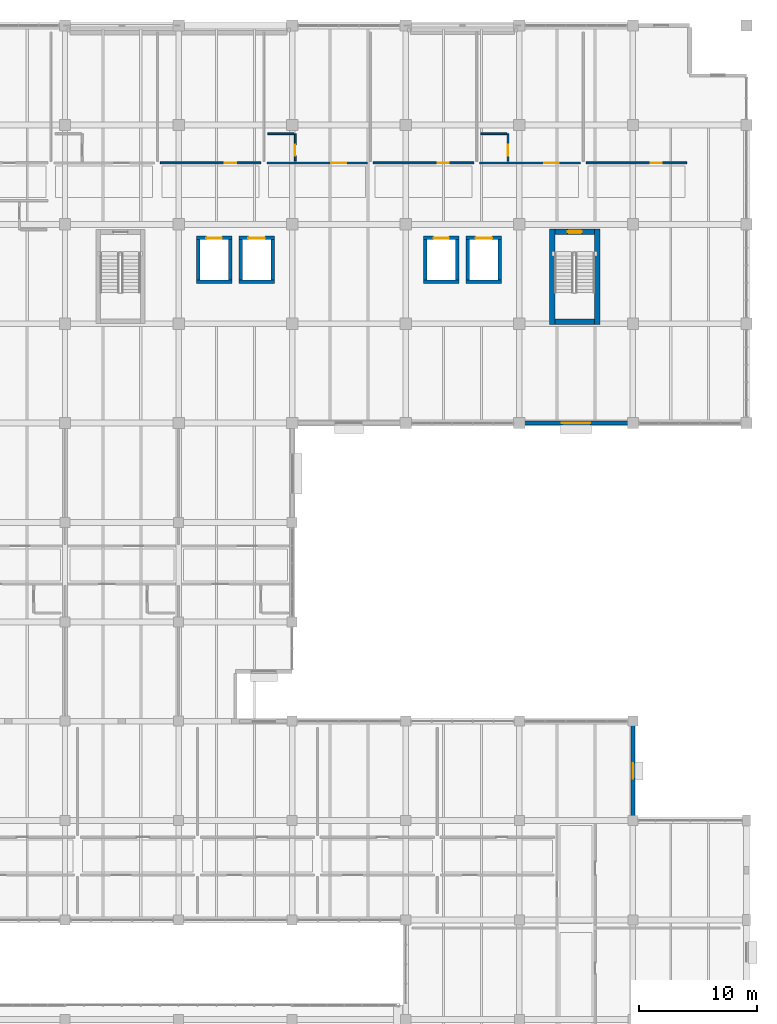
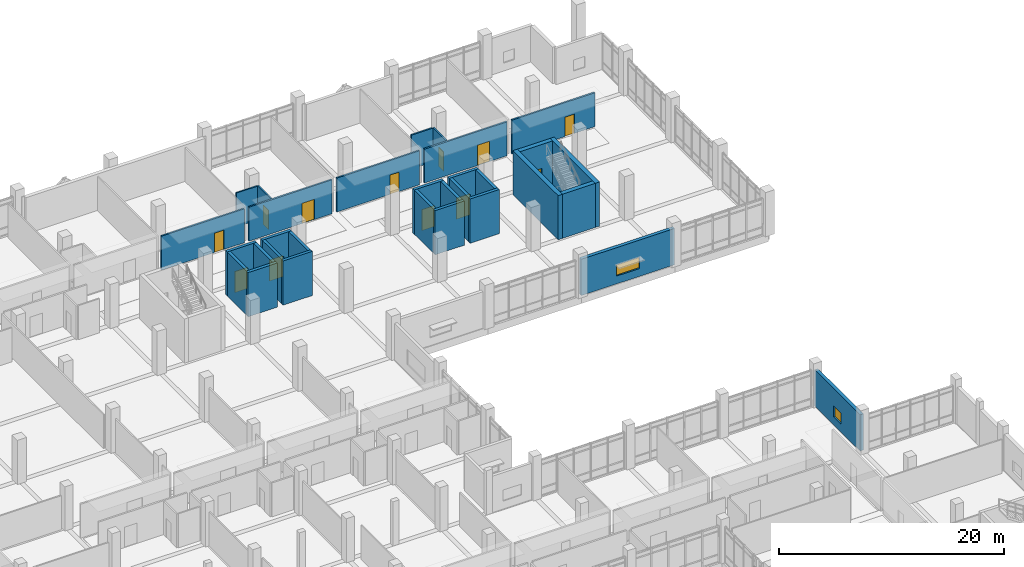
# One storey, part 132 of 152: 31 walls, 12 doors, 2 windows, 14 openings.
"""IFC4 building model written with IfcOpenShell, lengths in metres."""

from ifc_helpers import new_model, si_unit, direction, frame, frame_2d, origin, place, context, subcontext, project, spatial, rectangle, extrude, material, layer, layer_set, type_object, element, fill, save


model = new_model("IFC4")

# Units and contexts
model_context = context("Model", 3, precision=1e-05, world=origin(), true_north=direction((0.0, 1.0)))
body_context = subcontext(model_context, "Body", "Model", "MODEL_VIEW")
ifc_project = project(units=[si_unit("LENGTHUNIT", "METRE"), si_unit("AREAUNIT", "SQUARE_METRE"), si_unit("VOLUMEUNIT", "CUBIC_METRE"), si_unit("PLANEANGLEUNIT", "RADIAN"), si_unit("MASSUNIT", "GRAM", prefix="KILO")], contexts=[model_context])

# Site, building, storey
site_placement = place(None, origin())
site = spatial("IfcSite", under=ifc_project, at=site_placement, CompositionType="ELEMENT")
building_placement = place(site_placement, origin())
building = spatial("IfcBuilding", under=site, at=building_placement, Name="Oolite Switchyard Hospital", CompositionType="ELEMENT")
storey_placement = place(building_placement, frame((0.0, 0.0, 5.10009765625)))
storey = spatial("IfcBuildingStorey", under=building, at=storey_placement, Name="L01", CompositionType="ELEMENT", Elevation=5.10009765625)

# Wall, opening, window
ifc_material_1 = material(Name="Precast oolitic limestone architectural concrete C40/50", Category="masonry")
ifc_layer_1 = layer(ifc_material_1, 0.340087890625)
ifc_layer_set_1 = layer_set([ifc_layer_1], Name="WAL-EXT-340")
wall_type_1 = type_object("IfcWallType", Name="WAL-EXT-340", PredefinedType="SOLIDWALL", material=ifc_layer_set_1)
wall_1_placement = place(storey_placement, frame((201.60009765625, 100.800048828125, 0.0), z_axis=(0.0, 0.0, 1.0), x_axis=(-1.0, 0.0, 0.0)))
wall_1 = element("IfcWall", 1, at=wall_1_placement, inside=storey, type_object=wall_type_1, Name="L01 Exterior Spandrel Wall 87", PredefinedType="SOLIDWALL", context=body_context, shape_type="SweptSolid", body=[
    extrude(rectangle(XDim=9.60009765625, YDim=0.340087890625, at=frame_2d((4.800048828125, 0.0))), origin(), (0.0, 0.0, 1.0), 3.93994140625),
])
opening_1_placement = place(wall_1_placement, frame((3.60009765625, 0.0, 0.85009765625)))
opening_1 = element("IfcOpeningElement", 2, at=opening_1_placement, cuts=wall_1, Name="Opening WN-0032", PredefinedType="OPENING", context=body_context, shape_type="SweptSolid", body=[
    extrude(rectangle(XDim=2.39990234375, YDim=1.199951171875, at=frame_2d((1.199951171875, 0.60009765625))), frame((0.0, 0.18017578125, 0.0), z_axis=(0.0, -1.0, 0.0), x_axis=(1.0, 0.0, 0.0)), (0.0, 0.0, 1.0), 0.360107421875),
])
ifc_material_2 = material(Name="Thermally broken aluminum frame with laminated impact glazing", Category="aluminium")
window_type_1 = type_object("IfcWindowType", Name="WIN-IMP-240X120", PartitioningType="SINGLE_PANEL", PredefinedType="WINDOW", material=ifc_material_2)
window_1_placement = place(opening_1_placement, origin())
window_1 = element("IfcWindow", 3, at=window_1_placement, inside=storey, type_object=window_type_1, Name="L01 Hurricane Impact Window WN-0032", OverallHeight=1.199951171875, OverallWidth=2.39990234375, PartitioningType="SINGLE_PANEL", PredefinedType="WINDOW", context=body_context, shape_type="SweptSolid", body=[
    extrude(rectangle(XDim=2.39990234375, YDim=1.199951171875, at=frame_2d((1.199951171875, 0.60009765625))), frame((0.0, 0.030029296875, 0.0), z_axis=(0.0, -1.0, 0.0), x_axis=(1.0, 0.0, 0.0)), (0.0, 0.0, 1.0), 0.06005859375),
])
fill(opening_1, window_1)

wall_2_placement = place(storey_placement, frame((201.60009765625, 75.43994140625, 0.0), z_axis=(0.0, 0.0, 1.0), x_axis=(0.0, -1.0, 0.0)))
wall_2 = element("IfcWall", 4, at=wall_2_placement, inside=storey, type_object=wall_type_1, Name="L01 Exterior Spandrel Wall 122", PredefinedType="SOLIDWALL", context=body_context, shape_type="SweptSolid", body=[
    extrude(rectangle(XDim=8.079833984375, YDim=0.340087890625, at=frame_2d((4.0400390625, 0.0))), origin(), (0.0, 0.0, 1.0), 3.93994140625),
])
opening_2_placement = place(wall_2_placement, frame((3.389892578125, 0.0, 0.85009765625)))
opening_2 = element("IfcOpeningElement", 5, at=opening_2_placement, cuts=wall_2, Name="Opening WN-0043", PredefinedType="OPENING", context=body_context, shape_type="SweptSolid", body=[
    extrude(rectangle(XDim=1.300048828125, YDim=1.199951171875, at=frame_2d((0.64990234375, 0.60009765625))), frame((0.0, 0.18017578125, 0.0), z_axis=(0.0, -1.0, 0.0), x_axis=(1.0, 0.0, 0.0)), (0.0, 0.0, 1.0), 0.360107421875),
])
window_type_2 = type_object("IfcWindowType", Name="WIN-IMP-130X120", PartitioningType="SINGLE_PANEL", PredefinedType="WINDOW", material=ifc_material_2)
window_2_placement = place(opening_2_placement, origin())
window_2 = element("IfcWindow", 6, at=window_2_placement, inside=storey, type_object=window_type_2, Name="L01 Hurricane Impact Window WN-0043", OverallHeight=1.199951171875, OverallWidth=1.300048828125, PartitioningType="SINGLE_PANEL", PredefinedType="WINDOW", context=body_context, shape_type="SweptSolid", body=[
    extrude(rectangle(XDim=1.300048828125, YDim=1.199951171875, at=frame_2d((0.64990234375, 0.60009765625))), frame((0.0, 0.030029296875, 0.0), z_axis=(0.0, -1.0, 0.0), x_axis=(1.0, 0.0, 0.0)), (0.0, 0.0, 1.0), 0.06005859375),
])
fill(opening_2, window_2)

# Wall, opening, door
ifc_material_3 = material(Name="Moisture-resistant gypsum board on steel studs", Category="steel")
ifc_layer_2 = layer(ifc_material_3, 0.14990234375)
ifc_layer_set_2 = layer_set([ifc_layer_2], Name="WAL-PART-150")
wall_type_2 = type_object("IfcWallType", Name="WAL-PART-150", PredefinedType="PARTITIONING", material=ifc_layer_set_2)
wall_3_placement = place(storey_placement, frame((173.050048828125, 122.949951171875, 0.0), z_axis=(0.0, 0.0, 1.0), x_axis=(0.0, 1.0, 0.0)))
wall_3 = element("IfcWall", 7, at=wall_3_placement, inside=storey, type_object=wall_type_2, Name="L01 Interior Partition 344", PredefinedType="PARTITIONING", context=body_context, shape_type="SweptSolid", body=[
    extrude(rectangle(XDim=2.300048828125, YDim=0.14990234375, at=frame_2d((1.14990234375, 0.0))), origin(), (0.0, 0.0, 1.0), 3.679931640625),
])
opening_3_placement = place(wall_3_placement, frame((0.449951171875, 0.0, 0.0)))
opening_3 = element("IfcOpeningElement", 8, at=opening_3_placement, cuts=wall_3, Name="Opening D-0198", PredefinedType="OPENING", context=body_context, shape_type="SweptSolid", body=[
    extrude(rectangle(XDim=0.949951171875, YDim=2.10009765625, at=frame_2d((0.47509765625, 1.050048828125))), frame((0.0, 0.0849609375, 0.0), z_axis=(0.0, -1.0, 0.0), x_axis=(1.0, 0.0, 0.0)), (0.0, 0.0, 1.0), 0.169921875),
])
ifc_material_4 = material(Name="Solid-core antimicrobial hardwood leaf in steel frame", Category="steel")
door_type_1 = type_object("IfcDoorType", Name="DR-BATH-095X210", OperationType="NOTDEFINED", PredefinedType="DOOR", material=ifc_material_4)
door_1_placement = place(opening_3_placement, origin())
door_1 = element("IfcDoor", 9, at=door_1_placement, inside=storey, type_object=door_type_1, Name="L01 Interior Door D-0198", OperationType="SINGLE_SWING_LEFT", OverallHeight=2.10009765625, OverallWidth=0.949951171875, PredefinedType="DOOR", context=body_context, shape_type="SweptSolid", body=[
    extrude(rectangle(XDim=0.949951171875, YDim=2.10009765625, at=frame_2d((0.47509765625, 1.050048828125))), frame((0.0, 0.02490234375, 0.0), z_axis=(0.0, -1.0, 0.0), x_axis=(1.0, 0.0, 0.0)), (0.0, 0.0, 1.0), 0.050048828125),
])
fill(opening_3, door_1)

# Wall
wall_4_placement = place(storey_placement, frame((170.75, 125.25, 0.0), z_axis=(0.0, 0.0, 1.0), x_axis=(1.0, 0.0, 0.0)))
element("IfcWall", 10, at=wall_4_placement, inside=storey, type_object=wall_type_2, Name="L01 Interior Partition 345", PredefinedType="PARTITIONING", context=body_context, shape_type="SweptSolid", body=[
    extrude(rectangle(XDim=2.199951171875, YDim=0.14990234375, at=frame_2d((1.10009765625, 0.0))), origin(), (0.0, 0.0, 1.0), 3.679931640625),
])

# Wall, opening, door
wall_5_placement = place(storey_placement, frame((191.050048828125, 122.949951171875, 0.0), z_axis=(0.0, 0.0, 1.0), x_axis=(0.0, 1.0, 0.0)))
wall_5 = element("IfcWall", 11, at=wall_5_placement, inside=storey, type_object=wall_type_2, Name="L01 Interior Partition 350", PredefinedType="PARTITIONING", context=body_context, shape_type="SweptSolid", body=[
    extrude(rectangle(XDim=2.300048828125, YDim=0.14990234375, at=frame_2d((1.14990234375, 0.0))), origin(), (0.0, 0.0, 1.0), 3.679931640625),
])
opening_4_placement = place(wall_5_placement, frame((0.449951171875, 0.0, 0.0)))
opening_4 = element("IfcOpeningElement", 12, at=opening_4_placement, cuts=wall_5, Name="Opening D-0201", PredefinedType="OPENING", context=body_context, shape_type="SweptSolid", body=[
    extrude(rectangle(XDim=0.949951171875, YDim=2.10009765625, at=frame_2d((0.47509765625, 1.050048828125))), frame((0.0, 0.0849609375, 0.0), z_axis=(0.0, -1.0, 0.0), x_axis=(1.0, 0.0, 0.0)), (0.0, 0.0, 1.0), 0.169921875),
])
door_2_placement = place(opening_4_placement, origin())
door_2 = element("IfcDoor", 13, at=door_2_placement, inside=storey, type_object=door_type_1, Name="L01 Interior Door D-0201", OperationType="SINGLE_SWING_LEFT", OverallHeight=2.10009765625, OverallWidth=0.949951171875, PredefinedType="DOOR", context=body_context, shape_type="SweptSolid", body=[
    extrude(rectangle(XDim=0.949951171875, YDim=2.10009765625, at=frame_2d((0.47509765625, 1.050048828125))), frame((0.0, 0.02490234375, 0.0), z_axis=(0.0, -1.0, 0.0), x_axis=(1.0, 0.0, 0.0)), (0.0, 0.0, 1.0), 0.050048828125),
])
fill(opening_4, door_2)

# Wall
wall_6_placement = place(storey_placement, frame((188.75, 125.25, 0.0), z_axis=(0.0, 0.0, 1.0), x_axis=(1.0, 0.0, 0.0)))
element("IfcWall", 14, at=wall_6_placement, inside=storey, type_object=wall_type_2, Name="L01 Interior Partition 351", PredefinedType="PARTITIONING", context=body_context, shape_type="SweptSolid", body=[
    extrude(rectangle(XDim=2.199951171875, YDim=0.14990234375, at=frame_2d((1.10009765625, 0.0))), origin(), (0.0, 0.0, 1.0), 3.679931640625),
])

# Wall, opening, door
ifc_layer_3 = layer(ifc_material_3, 0.1650390625)
ifc_layer_set_3 = layer_set([ifc_layer_3], Name="WAL-PART-165")
wall_type_3 = type_object("IfcWallType", Name="WAL-PART-165", PredefinedType="PARTITIONING", material=ifc_layer_set_3)
wall_7_placement = place(storey_placement, frame((161.64990234375, 122.800048828125, 0.0), z_axis=(0.0, 0.0, 1.0), x_axis=(1.0, 0.0, 0.0)))
wall_7 = element("IfcWall", 15, at=wall_7_placement, inside=storey, type_object=wall_type_3, Name="L01 Interior Partition 341", PredefinedType="PARTITIONING", context=body_context, shape_type="SweptSolid", body=[
    extrude(rectangle(XDim=8.5, YDim=0.1650390625, at=frame_2d((4.25, 0.0))), origin(), (0.0, 0.0, 1.0), 3.679931640625),
])
opening_5_placement = place(wall_7_placement, frame((5.449951171875, 0.0, 0.0)))
opening_5 = element("IfcOpeningElement", 16, at=opening_5_placement, cuts=wall_7, Name="Opening D-0196", PredefinedType="OPENING", context=body_context, shape_type="SweptSolid", body=[
    extrude(rectangle(XDim=0.949951171875, YDim=2.10009765625, at=frame_2d((0.47509765625, 1.050048828125))), frame((0.0, 0.092529296875, 0.0), z_axis=(0.0, -1.0, 0.0), x_axis=(1.0, 0.0, 0.0)), (0.0, 0.0, 1.0), 0.18505859375),
])
door_3_placement = place(opening_5_placement, origin())
door_3 = element("IfcDoor", 17, at=door_3_placement, inside=storey, type_object=door_type_1, Name="L01 Interior Door D-0196", OperationType="SINGLE_SWING_LEFT", OverallHeight=2.10009765625, OverallWidth=0.949951171875, PredefinedType="DOOR", context=body_context, shape_type="SweptSolid", body=[
    extrude(rectangle(XDim=0.949951171875, YDim=2.10009765625, at=frame_2d((0.47509765625, 1.050048828125))), frame((0.0, 0.02490234375, 0.0), z_axis=(0.0, -1.0, 0.0), x_axis=(1.0, 0.0, 0.0)), (0.0, 0.0, 1.0), 0.050048828125),
])
fill(opening_5, door_3)

wall_8_placement = place(storey_placement, frame((170.64990234375, 122.800048828125, 0.0), z_axis=(0.0, 0.0, 1.0), x_axis=(1.0, 0.0, 0.0)))
wall_8 = element("IfcWall", 18, at=wall_8_placement, inside=storey, type_object=wall_type_3, Name="L01 Interior Partition 343", PredefinedType="PARTITIONING", context=body_context, shape_type="SweptSolid", body=[
    extrude(rectangle(XDim=8.5, YDim=0.1650390625, at=frame_2d((4.25, 0.0))), origin(), (0.0, 0.0, 1.0), 3.679931640625),
])
opening_6_placement = place(wall_8_placement, frame((5.449951171875, 0.0, 0.0)))
opening_6 = element("IfcOpeningElement", 19, at=opening_6_placement, cuts=wall_8, Name="Opening D-0197", PredefinedType="OPENING", context=body_context, shape_type="SweptSolid", body=[
    extrude(rectangle(XDim=1.25, YDim=2.199951171875, at=frame_2d((0.625, 1.10009765625))), frame((0.0, 0.092529296875, 0.0), z_axis=(0.0, -1.0, 0.0), x_axis=(1.0, 0.0, 0.0)), (0.0, 0.0, 1.0), 0.18505859375),
])
door_type_2 = type_object("IfcDoorType", Name="DR-WARD-125X220", OperationType="NOTDEFINED", PredefinedType="DOOR", material=ifc_material_4)
door_4_placement = place(opening_6_placement, origin())
door_4 = element("IfcDoor", 20, at=door_4_placement, inside=storey, type_object=door_type_2, Name="L01 Interior Door D-0197", OperationType="SINGLE_SWING_RIGHT", OverallHeight=2.199951171875, OverallWidth=1.25, PredefinedType="DOOR", context=body_context, shape_type="SweptSolid", body=[
    extrude(rectangle(XDim=1.25, YDim=2.199951171875, at=frame_2d((0.625, 1.10009765625))), frame((0.0, 0.02490234375, 0.0), z_axis=(0.0, -1.0, 0.0), x_axis=(1.0, 0.0, 0.0)), (0.0, 0.0, 1.0), 0.050048828125),
])
fill(opening_6, door_4)

wall_9_placement = place(storey_placement, frame((179.64990234375, 122.800048828125, 0.0), z_axis=(0.0, 0.0, 1.0), x_axis=(1.0, 0.0, 0.0)))
wall_9 = element("IfcWall", 21, at=wall_9_placement, inside=storey, type_object=wall_type_3, Name="L01 Interior Partition 347", PredefinedType="PARTITIONING", context=body_context, shape_type="SweptSolid", body=[
    extrude(rectangle(XDim=8.5, YDim=0.1650390625, at=frame_2d((4.25, 0.0))), origin(), (0.0, 0.0, 1.0), 3.679931640625),
])
opening_7_placement = place(wall_9_placement, frame((5.449951171875, 0.0, 0.0)))
opening_7 = element("IfcOpeningElement", 22, at=opening_7_placement, cuts=wall_9, Name="Opening D-0199", PredefinedType="OPENING", context=body_context, shape_type="SweptSolid", body=[
    extrude(rectangle(XDim=0.949951171875, YDim=2.10009765625, at=frame_2d((0.47509765625, 1.050048828125))), frame((0.0, 0.092529296875, 0.0), z_axis=(0.0, -1.0, 0.0), x_axis=(1.0, 0.0, 0.0)), (0.0, 0.0, 1.0), 0.18505859375),
])
door_5_placement = place(opening_7_placement, origin())
door_5 = element("IfcDoor", 23, at=door_5_placement, inside=storey, type_object=door_type_1, Name="L01 Interior Door D-0199", OperationType="SINGLE_SWING_LEFT", OverallHeight=2.10009765625, OverallWidth=0.949951171875, PredefinedType="DOOR", context=body_context, shape_type="SweptSolid", body=[
    extrude(rectangle(XDim=0.949951171875, YDim=2.10009765625, at=frame_2d((0.47509765625, 1.050048828125))), frame((0.0, 0.02490234375, 0.0), z_axis=(0.0, -1.0, 0.0), x_axis=(1.0, 0.0, 0.0)), (0.0, 0.0, 1.0), 0.050048828125),
])
fill(opening_7, door_5)

wall_10_placement = place(storey_placement, frame((188.64990234375, 122.800048828125, 0.0), z_axis=(0.0, 0.0, 1.0), x_axis=(1.0, 0.0, 0.0)))
wall_10 = element("IfcWall", 24, at=wall_10_placement, inside=storey, type_object=wall_type_3, Name="L01 Interior Partition 349", PredefinedType="PARTITIONING", context=body_context, shape_type="SweptSolid", body=[
    extrude(rectangle(XDim=8.5, YDim=0.1650390625, at=frame_2d((4.25, 0.0))), origin(), (0.0, 0.0, 1.0), 3.679931640625),
])
opening_8_placement = place(wall_10_placement, frame((5.449951171875, 0.0, 0.0)))
opening_8 = element("IfcOpeningElement", 25, at=opening_8_placement, cuts=wall_10, Name="Opening D-0200", PredefinedType="OPENING", context=body_context, shape_type="SweptSolid", body=[
    extrude(rectangle(XDim=1.25, YDim=2.199951171875, at=frame_2d((0.625, 1.10009765625))), frame((0.0, 0.092529296875, 0.0), z_axis=(0.0, -1.0, 0.0), x_axis=(1.0, 0.0, 0.0)), (0.0, 0.0, 1.0), 0.18505859375),
])
door_6_placement = place(opening_8_placement, origin())
door_6 = element("IfcDoor", 26, at=door_6_placement, inside=storey, type_object=door_type_2, Name="L01 Interior Door D-0200", OperationType="SINGLE_SWING_RIGHT", OverallHeight=2.199951171875, OverallWidth=1.25, PredefinedType="DOOR", context=body_context, shape_type="SweptSolid", body=[
    extrude(rectangle(XDim=1.25, YDim=2.199951171875, at=frame_2d((0.625, 1.10009765625))), frame((0.0, 0.02490234375, 0.0), z_axis=(0.0, -1.0, 0.0), x_axis=(1.0, 0.0, 0.0)), (0.0, 0.0, 1.0), 0.050048828125),
])
fill(opening_8, door_6)

wall_11_placement = place(storey_placement, frame((197.64990234375, 122.800048828125, 0.0), z_axis=(0.0, 0.0, 1.0), x_axis=(1.0, 0.0, 0.0)))
wall_11 = element("IfcWall", 27, at=wall_11_placement, inside=storey, type_object=wall_type_3, Name="L01 Interior Partition 353", PredefinedType="PARTITIONING", context=body_context, shape_type="SweptSolid", body=[
    extrude(rectangle(XDim=8.5, YDim=0.1650390625, at=frame_2d((4.25, 0.0))), origin(), (0.0, 0.0, 1.0), 3.679931640625),
])
opening_9_placement = place(wall_11_placement, frame((5.449951171875, 0.0, 0.0)))
opening_9 = element("IfcOpeningElement", 28, at=opening_9_placement, cuts=wall_11, Name="Opening D-0202", PredefinedType="OPENING", context=body_context, shape_type="SweptSolid", body=[
    extrude(rectangle(XDim=0.949951171875, YDim=2.10009765625, at=frame_2d((0.47509765625, 1.050048828125))), frame((0.0, 0.092529296875, 0.0), z_axis=(0.0, -1.0, 0.0), x_axis=(1.0, 0.0, 0.0)), (0.0, 0.0, 1.0), 0.18505859375),
])
door_7_placement = place(opening_9_placement, origin())
door_7 = element("IfcDoor", 29, at=door_7_placement, inside=storey, type_object=door_type_1, Name="L01 Interior Door D-0202", OperationType="SINGLE_SWING_LEFT", OverallHeight=2.10009765625, OverallWidth=0.949951171875, PredefinedType="DOOR", context=body_context, shape_type="SweptSolid", body=[
    extrude(rectangle(XDim=0.949951171875, YDim=2.10009765625, at=frame_2d((0.47509765625, 1.050048828125))), frame((0.0, 0.02490234375, 0.0), z_axis=(0.0, -1.0, 0.0), x_axis=(1.0, 0.0, 0.0)), (0.0, 0.0, 1.0), 0.050048828125),
])
fill(opening_9, door_7)

# Walls
ifc_material_5 = material(Name="Concrete C50/60", Category="concrete")
ifc_layer_4 = layer(ifc_material_5, 0.300048828125)
ifc_layer_set_4 = layer_set([ifc_layer_4], Name="WAL-SHR-300")
wall_type_4 = type_object("IfcWallType", Name="WAL-SHR-300", PredefinedType="SHEAR", material=ifc_layer_set_4)
wall_12_placement = place(storey_placement, frame((164.699951171875, 112.75, 0.0), z_axis=(0.0, 0.0, 1.0), x_axis=(1.0, 0.0, 0.0)))
element("IfcWall", 30, at=wall_12_placement, inside=storey, type_object=wall_type_4, Name="L01 Lift Shaft Shear Wall EL-01", PredefinedType="SHEAR", context=body_context, shape_type="SweptSolid", body=[
    extrude(rectangle(XDim=3.0, YDim=0.300048828125, at=frame_2d((1.5, 0.0))), origin(), (0.0, 0.0, 1.0), 4.7998046875),
])
wall_13_placement = place(storey_placement, frame((167.550048828125, 112.89990234375, 0.0), z_axis=(0.0, 0.0, 1.0), x_axis=(0.0, 1.0, 0.0)))
element("IfcWall", 31, at=wall_13_placement, inside=storey, type_object=wall_type_4, Name="L01 Lift Shaft Shear Wall EL-01", PredefinedType="SHEAR", context=body_context, shape_type="SweptSolid", body=[
    extrude(rectangle(XDim=3.400146484375, YDim=0.300048828125, at=frame_2d((1.7001953125, 0.0))), origin(), (0.0, 0.0, 1.0), 4.7998046875),
])

# Wall, opening, door
wall_14_placement = place(storey_placement, frame((167.699951171875, 116.449951171875, 0.0), z_axis=(0.0, 0.0, 1.0), x_axis=(-1.0, 0.0, 0.0)))
wall_14 = element("IfcWall", 32, at=wall_14_placement, inside=storey, type_object=wall_type_4, Name="L01 Lift Shaft Shear Wall EL-01", PredefinedType="SHEAR", context=body_context, shape_type="SweptSolid", body=[
    extrude(rectangle(XDim=3.0, YDim=0.300048828125, at=frame_2d((1.5, 0.0))), origin(), (0.0, 0.0, 1.0), 4.7998046875),
])
opening_10_placement = place(wall_14_placement, frame((0.85009765625, 0.0, 0.0)))
opening_10 = element("IfcOpeningElement", 33, at=opening_10_placement, cuts=wall_14, Name="Opening LD-002", PredefinedType="OPENING", context=body_context, shape_type="SweptSolid", body=[
    extrude(rectangle(XDim=1.300048828125, YDim=2.300048828125, at=frame_2d((0.64990234375, 1.14990234375))), frame((0.0, 0.16015625, 0.0), z_axis=(0.0, -1.0, 0.0), x_axis=(1.0, 0.0, 0.0)), (0.0, 0.0, 1.0), 0.320068359375),
])
ifc_material_6 = material(Name="Brushed stainless steel fire-rated sliding landing door", Category="steel")
door_type_3 = type_object("IfcDoorType", Name="DR-LD-130X230", OperationType="NOTDEFINED", PredefinedType="DOOR", material=ifc_material_6)
door_8_placement = place(opening_10_placement, origin())
door_8 = element("IfcDoor", 34, at=door_8_placement, inside=storey, type_object=door_type_3, Name="L01 EL-01 Lift Landing Door LD-002", OperationType="SLIDING_TO_RIGHT", OverallHeight=2.300048828125, OverallWidth=1.300048828125, PredefinedType="DOOR", context=body_context, shape_type="SweptSolid", body=[
    extrude(rectangle(XDim=1.300048828125, YDim=2.300048828125, at=frame_2d((0.64990234375, 1.14990234375))), frame((0.0, 0.02490234375, 0.0), z_axis=(0.0, -1.0, 0.0), x_axis=(1.0, 0.0, 0.0)), (0.0, 0.0, 1.0), 0.050048828125),
])
fill(opening_10, door_8)

# Walls
wall_15_placement = place(storey_placement, frame((164.85009765625, 116.300048828125, 0.0), z_axis=(0.0, 0.0, 1.0), x_axis=(0.0, -1.0, 0.0)))
element("IfcWall", 35, at=wall_15_placement, inside=storey, type_object=wall_type_4, Name="L01 Lift Shaft Shear Wall EL-01", PredefinedType="SHEAR", context=body_context, shape_type="SweptSolid", body=[
    extrude(rectangle(XDim=3.400146484375, YDim=0.300048828125, at=frame_2d((1.7001953125, 0.0))), origin(), (0.0, 0.0, 1.0), 4.7998046875),
])
wall_16_placement = place(storey_placement, frame((168.300048828125, 112.75, 0.0), z_axis=(0.0, 0.0, 1.0), x_axis=(1.0, 0.0, 0.0)))
element("IfcWall", 36, at=wall_16_placement, inside=storey, type_object=wall_type_4, Name="L01 Lift Shaft Shear Wall EL-02", PredefinedType="SHEAR", context=body_context, shape_type="SweptSolid", body=[
    extrude(rectangle(XDim=3.0, YDim=0.300048828125, at=frame_2d((1.5, 0.0))), origin(), (0.0, 0.0, 1.0), 4.7998046875),
])
wall_17_placement = place(storey_placement, frame((171.14990234375, 112.89990234375, 0.0), z_axis=(0.0, 0.0, 1.0), x_axis=(0.0, 1.0, 0.0)))
element("IfcWall", 37, at=wall_17_placement, inside=storey, type_object=wall_type_4, Name="L01 Lift Shaft Shear Wall EL-02", PredefinedType="SHEAR", context=body_context, shape_type="SweptSolid", body=[
    extrude(rectangle(XDim=3.400146484375, YDim=0.300048828125, at=frame_2d((1.7001953125, 0.0))), origin(), (0.0, 0.0, 1.0), 4.7998046875),
])

# Wall, opening, door
wall_18_placement = place(storey_placement, frame((171.300048828125, 116.449951171875, 0.0), z_axis=(0.0, 0.0, 1.0), x_axis=(-1.0, 0.0, 0.0)))
wall_18 = element("IfcWall", 38, at=wall_18_placement, inside=storey, type_object=wall_type_4, Name="L01 Lift Shaft Shear Wall EL-02", PredefinedType="SHEAR", context=body_context, shape_type="SweptSolid", body=[
    extrude(rectangle(XDim=3.0, YDim=0.300048828125, at=frame_2d((1.5, 0.0))), origin(), (0.0, 0.0, 1.0), 4.7998046875),
])
opening_11_placement = place(wall_18_placement, frame((0.800048828125, 0.0, 0.0)))
opening_11 = element("IfcOpeningElement", 39, at=opening_11_placement, cuts=wall_18, Name="Opening LD-011", PredefinedType="OPENING", context=body_context, shape_type="SweptSolid", body=[
    extrude(rectangle(XDim=1.39990234375, YDim=2.300048828125, at=frame_2d((0.699951171875, 1.14990234375))), frame((0.0, 0.16015625, 0.0), z_axis=(0.0, -1.0, 0.0), x_axis=(1.0, 0.0, 0.0)), (0.0, 0.0, 1.0), 0.320068359375),
])
door_type_4 = type_object("IfcDoorType", Name="DR-LD-140X230", OperationType="NOTDEFINED", PredefinedType="DOOR", material=ifc_material_6)
door_9_placement = place(opening_11_placement, origin())
door_9 = element("IfcDoor", 40, at=door_9_placement, inside=storey, type_object=door_type_4, Name="L01 EL-02 Lift Landing Door LD-011", OperationType="SLIDING_TO_LEFT", OverallHeight=2.300048828125, OverallWidth=1.39990234375, PredefinedType="DOOR", context=body_context, shape_type="SweptSolid", body=[
    extrude(rectangle(XDim=1.39990234375, YDim=2.300048828125, at=frame_2d((0.699951171875, 1.14990234375))), frame((0.0, 0.02490234375, 0.0), z_axis=(0.0, -1.0, 0.0), x_axis=(1.0, 0.0, 0.0)), (0.0, 0.0, 1.0), 0.050048828125),
])
fill(opening_11, door_9)

# Walls
wall_19_placement = place(storey_placement, frame((168.449951171875, 116.300048828125, 0.0), z_axis=(0.0, 0.0, 1.0), x_axis=(0.0, -1.0, 0.0)))
element("IfcWall", 41, at=wall_19_placement, inside=storey, type_object=wall_type_4, Name="L01 Lift Shaft Shear Wall EL-02", PredefinedType="SHEAR", context=body_context, shape_type="SweptSolid", body=[
    extrude(rectangle(XDim=3.400146484375, YDim=0.300048828125, at=frame_2d((1.7001953125, 0.0))), origin(), (0.0, 0.0, 1.0), 4.7998046875),
])
wall_20_placement = place(storey_placement, frame((183.89990234375, 112.75, 0.0), z_axis=(0.0, 0.0, 1.0), x_axis=(1.0, 0.0, 0.0)))
element("IfcWall", 42, at=wall_20_placement, inside=storey, type_object=wall_type_4, Name="L01 Lift Shaft Shear Wall EL-03", PredefinedType="SHEAR", context=body_context, shape_type="SweptSolid", body=[
    extrude(rectangle(XDim=3.0, YDim=0.300048828125, at=frame_2d((1.5, 0.0))), origin(), (0.0, 0.0, 1.0), 4.7998046875),
])
wall_21_placement = place(storey_placement, frame((186.75, 112.89990234375, 0.0), z_axis=(0.0, 0.0, 1.0), x_axis=(0.0, 1.0, 0.0)))
element("IfcWall", 43, at=wall_21_placement, inside=storey, type_object=wall_type_4, Name="L01 Lift Shaft Shear Wall EL-03", PredefinedType="SHEAR", context=body_context, shape_type="SweptSolid", body=[
    extrude(rectangle(XDim=3.400146484375, YDim=0.300048828125, at=frame_2d((1.7001953125, 0.0))), origin(), (0.0, 0.0, 1.0), 4.7998046875),
])

# Wall, opening, door
wall_22_placement = place(storey_placement, frame((186.89990234375, 116.449951171875, 0.0), z_axis=(0.0, 0.0, 1.0), x_axis=(-1.0, 0.0, 0.0)))
wall_22 = element("IfcWall", 44, at=wall_22_placement, inside=storey, type_object=wall_type_4, Name="L01 Lift Shaft Shear Wall EL-03", PredefinedType="SHEAR", context=body_context, shape_type="SweptSolid", body=[
    extrude(rectangle(XDim=3.0, YDim=0.300048828125, at=frame_2d((1.5, 0.0))), origin(), (0.0, 0.0, 1.0), 4.7998046875),
])
opening_12_placement = place(wall_22_placement, frame((0.85009765625, 0.0, 0.0)))
opening_12 = element("IfcOpeningElement", 45, at=opening_12_placement, cuts=wall_22, Name="Opening LD-020", PredefinedType="OPENING", context=body_context, shape_type="SweptSolid", body=[
    extrude(rectangle(XDim=1.300048828125, YDim=2.300048828125, at=frame_2d((0.64990234375, 1.14990234375))), frame((0.0, 0.16015625, 0.0), z_axis=(0.0, -1.0, 0.0), x_axis=(1.0, 0.0, 0.0)), (0.0, 0.0, 1.0), 0.320068359375),
])
door_10_placement = place(opening_12_placement, origin())
door_10 = element("IfcDoor", 46, at=door_10_placement, inside=storey, type_object=door_type_3, Name="L01 EL-03 Lift Landing Door LD-020", OperationType="SLIDING_TO_RIGHT", OverallHeight=2.300048828125, OverallWidth=1.300048828125, PredefinedType="DOOR", context=body_context, shape_type="SweptSolid", body=[
    extrude(rectangle(XDim=1.300048828125, YDim=2.300048828125, at=frame_2d((0.64990234375, 1.14990234375))), frame((0.0, 0.02490234375, 0.0), z_axis=(0.0, -1.0, 0.0), x_axis=(1.0, 0.0, 0.0)), (0.0, 0.0, 1.0), 0.050048828125),
])
fill(opening_12, door_10)

# Walls
wall_23_placement = place(storey_placement, frame((184.050048828125, 116.300048828125, 0.0), z_axis=(0.0, 0.0, 1.0), x_axis=(0.0, -1.0, 0.0)))
element("IfcWall", 47, at=wall_23_placement, inside=storey, type_object=wall_type_4, Name="L01 Lift Shaft Shear Wall EL-03", PredefinedType="SHEAR", context=body_context, shape_type="SweptSolid", body=[
    extrude(rectangle(XDim=3.400146484375, YDim=0.300048828125, at=frame_2d((1.7001953125, 0.0))), origin(), (0.0, 0.0, 1.0), 4.7998046875),
])
wall_24_placement = place(storey_placement, frame((187.5, 112.75, 0.0), z_axis=(0.0, 0.0, 1.0), x_axis=(1.0, 0.0, 0.0)))
element("IfcWall", 48, at=wall_24_placement, inside=storey, type_object=wall_type_4, Name="L01 Lift Shaft Shear Wall EL-04", PredefinedType="SHEAR", context=body_context, shape_type="SweptSolid", body=[
    extrude(rectangle(XDim=3.0, YDim=0.300048828125, at=frame_2d((1.5, 0.0))), origin(), (0.0, 0.0, 1.0), 4.7998046875),
])
wall_25_placement = place(storey_placement, frame((190.35009765625, 112.89990234375, 0.0), z_axis=(0.0, 0.0, 1.0), x_axis=(0.0, 1.0, 0.0)))
element("IfcWall", 49, at=wall_25_placement, inside=storey, type_object=wall_type_4, Name="L01 Lift Shaft Shear Wall EL-04", PredefinedType="SHEAR", context=body_context, shape_type="SweptSolid", body=[
    extrude(rectangle(XDim=3.400146484375, YDim=0.300048828125, at=frame_2d((1.7001953125, 0.0))), origin(), (0.0, 0.0, 1.0), 4.7998046875),
])

# Wall, opening, door
wall_26_placement = place(storey_placement, frame((190.5, 116.449951171875, 0.0), z_axis=(0.0, 0.0, 1.0), x_axis=(-1.0, 0.0, 0.0)))
wall_26 = element("IfcWall", 50, at=wall_26_placement, inside=storey, type_object=wall_type_4, Name="L01 Lift Shaft Shear Wall EL-04", PredefinedType="SHEAR", context=body_context, shape_type="SweptSolid", body=[
    extrude(rectangle(XDim=3.0, YDim=0.300048828125, at=frame_2d((1.5, 0.0))), origin(), (0.0, 0.0, 1.0), 4.7998046875),
])
opening_13_placement = place(wall_26_placement, frame((0.800048828125, 0.0, 0.0)))
opening_13 = element("IfcOpeningElement", 51, at=opening_13_placement, cuts=wall_26, Name="Opening LD-028", PredefinedType="OPENING", context=body_context, shape_type="SweptSolid", body=[
    extrude(rectangle(XDim=1.39990234375, YDim=2.300048828125, at=frame_2d((0.699951171875, 1.14990234375))), frame((0.0, 0.16015625, 0.0), z_axis=(0.0, -1.0, 0.0), x_axis=(1.0, 0.0, 0.0)), (0.0, 0.0, 1.0), 0.320068359375),
])
door_11_placement = place(opening_13_placement, origin())
door_11 = element("IfcDoor", 52, at=door_11_placement, inside=storey, type_object=door_type_4, Name="L01 EL-04 Lift Landing Door LD-028", OperationType="SLIDING_TO_RIGHT", OverallHeight=2.300048828125, OverallWidth=1.39990234375, PredefinedType="DOOR", context=body_context, shape_type="SweptSolid", body=[
    extrude(rectangle(XDim=1.39990234375, YDim=2.300048828125, at=frame_2d((0.699951171875, 1.14990234375))), frame((0.0, 0.02490234375, 0.0), z_axis=(0.0, -1.0, 0.0), x_axis=(1.0, 0.0, 0.0)), (0.0, 0.0, 1.0), 0.050048828125),
])
fill(opening_13, door_11)

# Walls
wall_27_placement = place(storey_placement, frame((187.64990234375, 116.300048828125, 0.0), z_axis=(0.0, 0.0, 1.0), x_axis=(0.0, -1.0, 0.0)))
element("IfcWall", 53, at=wall_27_placement, inside=storey, type_object=wall_type_4, Name="L01 Lift Shaft Shear Wall EL-04", PredefinedType="SHEAR", context=body_context, shape_type="SweptSolid", body=[
    extrude(rectangle(XDim=3.400146484375, YDim=0.300048828125, at=frame_2d((1.7001953125, 0.0))), origin(), (0.0, 0.0, 1.0), 4.7998046875),
])
ifc_layer_5 = layer(ifc_material_5, 0.449951171875)
ifc_layer_set_5 = layer_set([ifc_layer_5], Name="WAL-SHR-450")
wall_type_5 = type_object("IfcWallType", Name="WAL-SHR-450", PredefinedType="SHEAR", material=ifc_layer_set_5)
wall_28_placement = place(storey_placement, frame((194.77490234375, 117.199951171875, 0.0), z_axis=(0.0, 0.0, 1.0), x_axis=(0.0, -1.0, 0.0)))
element("IfcWall", 54, at=wall_28_placement, inside=storey, type_object=wall_type_5, Name="L01 Core Shear Wall ST-04", PredefinedType="SHEAR", context=body_context, shape_type="SweptSolid", body=[
    extrude(rectangle(XDim=8.050048828125, YDim=0.449951171875, at=frame_2d((4.02490234375, 0.0))), origin(), (0.0, 0.0, 1.0), 4.7998046875),
])
wall_29_placement = place(storey_placement, frame((195.0, 109.375, 0.0), z_axis=(0.0, 0.0, 1.0), x_axis=(1.0, 0.0, 0.0)))
element("IfcWall", 55, at=wall_29_placement, inside=storey, type_object=wall_type_5, Name="L01 Core Shear Wall ST-04", PredefinedType="SHEAR", context=body_context, shape_type="SweptSolid", body=[
    extrude(rectangle(XDim=3.360107421875, YDim=0.449951171875, at=frame_2d((1.68017578125, 0.0))), origin(), (0.0, 0.0, 1.0), 4.7998046875),
])
wall_30_placement = place(storey_placement, frame((198.5849609375, 109.14990234375, 0.0), z_axis=(0.0, 0.0, 1.0), x_axis=(0.0, 1.0, 0.0)))
element("IfcWall", 56, at=wall_30_placement, inside=storey, type_object=wall_type_5, Name="L01 Core Shear Wall ST-04", PredefinedType="SHEAR", context=body_context, shape_type="SweptSolid", body=[
    extrude(rectangle(XDim=8.050048828125, YDim=0.449951171875, at=frame_2d((4.02490234375, 0.0))), origin(), (0.0, 0.0, 1.0), 4.7998046875),
])

# Wall, opening, door
wall_31_placement = place(storey_placement, frame((198.360107421875, 116.97509765625, 0.0), z_axis=(0.0, 0.0, 1.0), x_axis=(-1.0, 0.0, 0.0)))
wall_31 = element("IfcWall", 57, at=wall_31_placement, inside=storey, type_object=wall_type_5, Name="L01 Core Shear Wall ST-04", PredefinedType="SHEAR", context=body_context, shape_type="SweptSolid", body=[
    extrude(rectangle(XDim=3.360107421875, YDim=0.449951171875, at=frame_2d((1.68017578125, 0.0))), origin(), (0.0, 0.0, 1.0), 4.7998046875),
])
opening_14_placement = place(wall_31_placement, frame((1.080078125, 0.0, 0.0)))
opening_14 = element("IfcOpeningElement", 58, at=opening_14_placement, cuts=wall_31, Name="Opening SD-025", PredefinedType="OPENING", context=body_context, shape_type="SweptSolid", body=[
    extrude(rectangle(XDim=1.199951171875, YDim=2.199951171875, at=frame_2d((0.60009765625, 1.10009765625))), frame((0.0, 0.23486328125, 0.0), z_axis=(0.0, -1.0, 0.0), x_axis=(1.0, 0.0, 0.0)), (0.0, 0.0, 1.0), 0.469970703125),
])
ifc_material_7 = material(Name="Hollow metal fire-rated steel door assembly", Category="steel")
door_type_5 = type_object("IfcDoorType", Name="DR-STR-120X220", OperationType="NOTDEFINED", PredefinedType="DOOR", material=ifc_material_7)
door_12_placement = place(opening_14_placement, origin())
door_12 = element("IfcDoor", 59, at=door_12_placement, inside=storey, type_object=door_type_5, Name="L01 ST-04 Exit Stair Door SD-025", OperationType="SINGLE_SWING_LEFT", OverallHeight=2.199951171875, OverallWidth=1.199951171875, PredefinedType="DOOR", context=body_context, shape_type="SweptSolid", body=[
    extrude(rectangle(XDim=1.199951171875, YDim=2.199951171875, at=frame_2d((0.60009765625, 1.10009765625))), frame((0.0, 0.02490234375, 0.0), z_axis=(0.0, -1.0, 0.0), x_axis=(1.0, 0.0, 0.0)), (0.0, 0.0, 1.0), 0.050048828125),
])
fill(opening_14, door_12)

save(model, "model.ifc")
